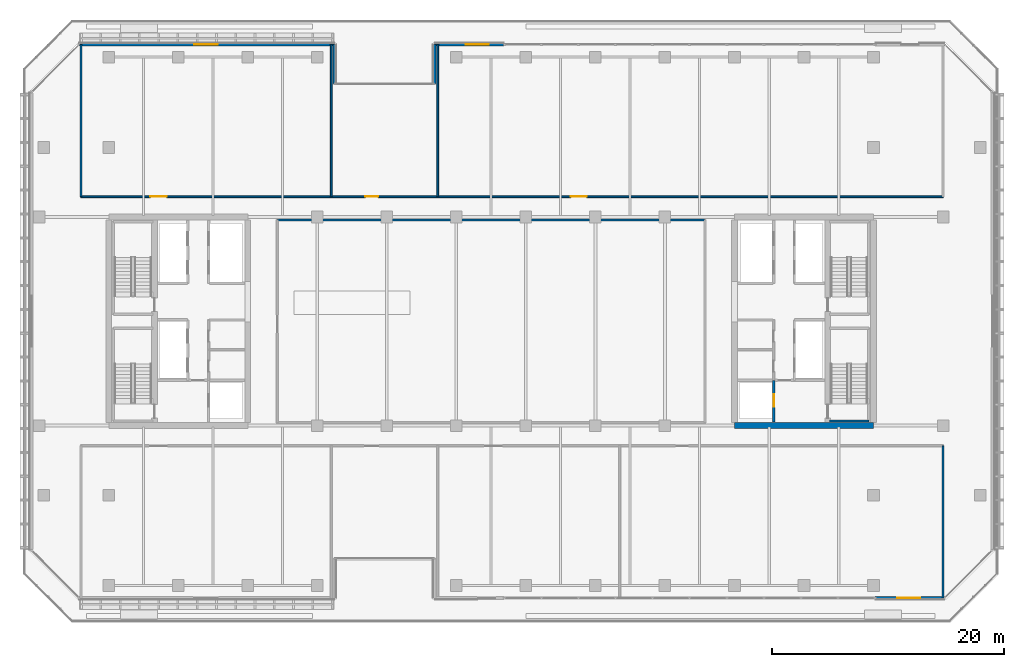
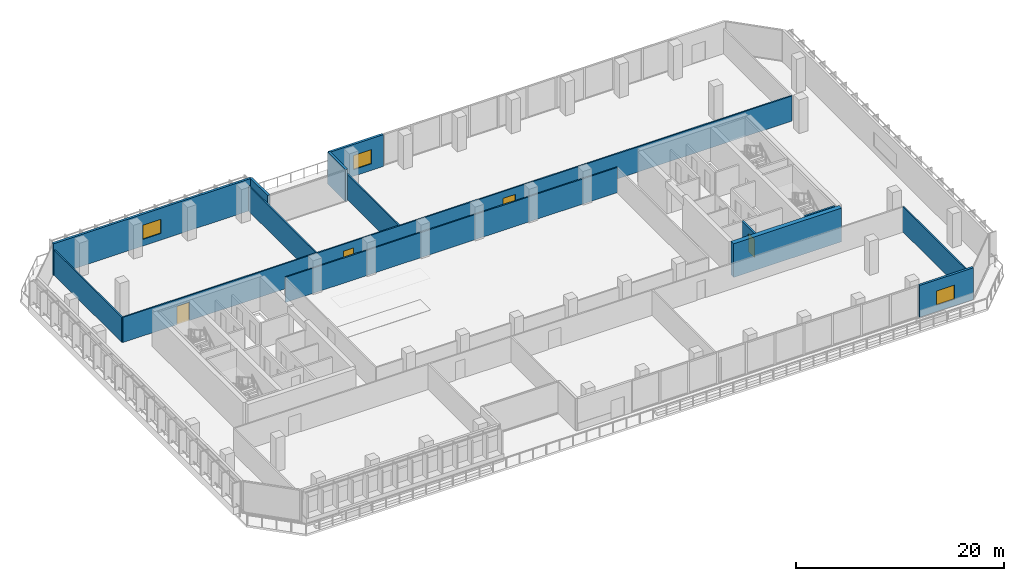
# One storey, part 30 of 38: 14 walls, 4 doors, 3 windows, 7 openings.
"""IFC4 building model written with IfcOpenShell, lengths in metres."""

from ifc_helpers import new_model, si_unit, direction, frame, frame_2d, origin, place, context, subcontext, project, spatial, rectangle, extrude, material, layer, layer_set, type_object, element, fill, save


model = new_model("IFC4")

# Units and contexts
model_context = context("Model", 3, precision=1e-05, world=origin(), true_north=direction((0.0, 1.0)))
body_context = subcontext(model_context, "Body", "Model", "MODEL_VIEW")
ifc_project = project(units=[si_unit("LENGTHUNIT", "METRE"), si_unit("AREAUNIT", "SQUARE_METRE"), si_unit("VOLUMEUNIT", "CUBIC_METRE"), si_unit("PLANEANGLEUNIT", "RADIAN"), si_unit("MASSUNIT", "GRAM", prefix="KILO")], contexts=[model_context])

# Site, building, storey
site_placement = place(None, origin())
site = spatial("IfcSite", under=ifc_project, at=site_placement, CompositionType="ELEMENT")
building_placement = place(site_placement, origin())
building = spatial("IfcBuilding", under=site, at=building_placement, Name="Tanjung Sevakor Pilgrim Tower", CompositionType="ELEMENT")
storey_placement = place(building_placement, frame((0.0, 0.0, 78.2099609375)))
storey = spatial("IfcBuildingStorey", under=building, at=storey_placement, Name="L21", CompositionType="ELEMENT", Elevation=78.2099609375)

# Walls
ifc_material_1 = material(Name="Concrete C60/75", Category="concrete")
ifc_layer_1 = layer(ifc_material_1, 0.5)
ifc_layer_set_1 = layer_set([ifc_layer_1], Name="WALL-CW-500")
wall_type_1 = type_object("IfcWallType", Name="WALL-CW-500", PredefinedType="SHEAR", material=ifc_layer_set_1)
wall_1_placement = place(storey_placement, frame((78.0, 24.60009765625, 0.0), z_axis=(0.0, 0.0, 1.0), x_axis=(1.0, 0.0, 0.0)))
element("IfcWall", 1, at=wall_1_placement, inside=storey, type_object=wall_type_1, Name="L21 E Core South Shear Wall", PredefinedType="SHEAR", context=body_context, shape_type="SweptSolid", body=[
    extrude(rectangle(XDim=12.0, YDim=0.5, at=frame_2d((6.0, 0.0))), origin(), (0.0, 0.0, 1.0), 3.9599609375),
])
ifc_material_2 = material(Name="Concrete C40/50", Category="concrete")
ifc_layer_2 = layer(ifc_material_2, 0.14990234375)
ifc_layer_set_2 = layer_set([ifc_layer_2], Name="WT-COMP-150")
wall_type_2 = type_object("IfcWallType", Name="WT-COMP-150", PredefinedType="SOLIDWALL", material=ifc_layer_set_2)
wall_2_placement = place(storey_placement, frame((38.550048828125, 42.35009765625, 0.0), z_axis=(0.0, 0.0, 1.0), x_axis=(1.0, 0.0, 0.0)))
element("IfcWall", 2, at=wall_2_placement, inside=storey, type_object=wall_type_2, Name="L21 Partition IW-L21-024", PredefinedType="SOLIDWALL", context=body_context, shape_type="SweptSolid", body=[
    extrude(rectangle(XDim=36.89990234375, YDim=0.14990234375, at=frame_2d((18.449951171875, 0.0))), origin(), (0.0, 0.0, 1.0), 2.9599609375),
])
wall_3_placement = place(storey_placement, frame((96.0, 9.699951171875, 0.0), z_axis=(0.0, 0.0, 1.0), x_axis=(0.0, 1.0, 0.0)))
element("IfcWall", 3, at=wall_3_placement, inside=storey, type_object=wall_type_2, Name="L21 Partition IW-L21-031", PredefinedType="SOLIDWALL", context=body_context, shape_type="SweptSolid", body=[
    extrude(rectangle(XDim=13.150146484375, YDim=0.14990234375, at=frame_2d((6.5751953125, 0.0))), origin(), (0.0, 0.0, 1.0), 2.9599609375),
])
wall_4_placement = place(storey_placement, frame((21.60009765625, 44.35009765625, 0.0), z_axis=(0.0, 0.0, 1.0), x_axis=(0.0, 1.0, 0.0)))
element("IfcWall", 4, at=wall_4_placement, inside=storey, type_object=wall_type_2, Name="L21 Partition IW-L21-033", PredefinedType="SOLIDWALL", context=body_context, shape_type="SweptSolid", body=[
    extrude(rectangle(XDim=13.14990234375, YDim=0.14990234375, at=frame_2d((6.574951171875, 0.0))), origin(), (0.0, 0.0, 1.0), 2.9599609375),
])

# Wall, openings, doors
wall_5_placement = place(storey_placement, frame((21.60009765625, 44.35009765625, 0.0), z_axis=(0.0, 0.0, 1.0), x_axis=(1.0, 0.0, 0.0)))
wall_5 = element("IfcWall", 5, at=wall_5_placement, inside=storey, type_object=wall_type_2, Name="L21 Partition IW-L21-037", PredefinedType="SOLIDWALL", context=body_context, shape_type="SweptSolid", body=[
    extrude(rectangle(XDim=74.39990234375, YDim=0.14990234375, at=frame_2d((37.199951171875, 0.0))), origin(), (0.0, 0.0, 1.0), 2.9599609375),
])
opening_1_placement = place(wall_5_placement, frame((6.0, 0.0, 0.0)))
opening_1 = element("IfcOpeningElement", 6, at=opening_1_placement, cuts=wall_5, Name="Opening ID-HD1", PredefinedType="OPENING", context=body_context, shape_type="SweptSolid", body=[
    extrude(rectangle(XDim=1.39990234375, YDim=2.14990234375, at=frame_2d((0.699951171875, 1.074951171875))), frame((0.0, 0.0849609375, 0.0), z_axis=(0.0, -1.0, 0.0), x_axis=(1.0, 0.0, 0.0)), (0.0, 0.0, 1.0), 0.169921875),
])
opening_2_placement = place(wall_5_placement, frame((24.550048828125, 0.0, 0.0)))
opening_2 = element("IfcOpeningElement", 7, at=opening_2_placement, cuts=wall_5, Name="Opening ID-RM2", PredefinedType="OPENING", context=body_context, shape_type="SweptSolid", body=[
    extrude(rectangle(XDim=1.10009765625, YDim=2.14990234375, at=frame_2d((0.550048828125, 1.074951171875))), frame((0.0, 0.0849609375, 0.0), z_axis=(0.0, -1.0, 0.0), x_axis=(1.0, 0.0, 0.0)), (0.0, 0.0, 1.0), 0.169921875),
])
opening_3_placement = place(wall_5_placement, frame((42.25, 0.0, 0.0)))
opening_3 = element("IfcOpeningElement", 8, at=opening_3_placement, cuts=wall_5, Name="Opening ID-HD1", PredefinedType="OPENING", context=body_context, shape_type="SweptSolid", body=[
    extrude(rectangle(XDim=1.39990234375, YDim=2.14990234375, at=frame_2d((0.699951171875, 1.074951171875))), frame((0.0, 0.0849609375, 0.0), z_axis=(0.0, -1.0, 0.0), x_axis=(1.0, 0.0, 0.0)), (0.0, 0.0, 1.0), 0.169921875),
])
ifc_material_3 = material(Name="Hardwood Timber", Category="wood")
door_type_1 = type_object("IfcDoorType", Name="DT-INT-1100", OperationType="NOTDEFINED", PredefinedType="DOOR", material=ifc_material_3)
door_1_placement = place(opening_2_placement, origin())
door_1 = element("IfcDoor", 9, at=door_1_placement, inside=storey, type_object=door_type_1, Name="L21 Sky Prayer Door", OperationType="SINGLE_SWING_LEFT", OverallHeight=2.14990234375, OverallWidth=1.10009765625, PredefinedType="DOOR", context=body_context, shape_type="SweptSolid", body=[
    extrude(rectangle(XDim=1.10009765625, YDim=2.14990234375, at=frame_2d((0.550048828125, 1.074951171875))), frame((0.0, 0.02490234375, 0.0), z_axis=(0.0, -1.0, 0.0), x_axis=(1.0, 0.0, 0.0)), (0.0, 0.0, 1.0), 0.050048828125),
])
fill(opening_2, door_1)
ifc_material_4 = material(Name="Hardwood Timber", Category="wood")
door_type_2 = type_object("IfcDoorType", Name="DT-INT-1400", OperationType="DOUBLE_DOOR_SINGLE_SWING", PredefinedType="DOOR", material=ifc_material_4)
door_2_placement = place(opening_1_placement, origin())
door_2 = element("IfcDoor", 10, at=door_2_placement, inside=storey, type_object=door_type_2, Name="L21 Sky Seminar Door", OperationType="SINGLE_SWING_RIGHT", OverallHeight=2.14990234375, OverallWidth=1.39990234375, PredefinedType="DOOR", context=body_context, shape_type="SweptSolid", body=[
    extrude(rectangle(XDim=1.39990234375, YDim=2.14990234375, at=frame_2d((0.699951171875, 1.074951171875))), frame((0.0, 0.02490234375, 0.0), z_axis=(0.0, -1.0, 0.0), x_axis=(1.0, 0.0, 0.0)), (0.0, 0.0, 1.0), 0.050048828125),
])
fill(opening_1, door_2)
door_3_placement = place(opening_3_placement, origin())
door_3 = element("IfcDoor", 11, at=door_3_placement, inside=storey, type_object=door_type_2, Name="L21 Sky Reading Door", OperationType="SINGLE_SWING_RIGHT", OverallHeight=2.14990234375, OverallWidth=1.39990234375, PredefinedType="DOOR", context=body_context, shape_type="SweptSolid", body=[
    extrude(rectangle(XDim=1.39990234375, YDim=2.14990234375, at=frame_2d((0.699951171875, 1.074951171875))), frame((0.0, 0.02490234375, 0.0), z_axis=(0.0, -1.0, 0.0), x_axis=(1.0, 0.0, 0.0)), (0.0, 0.0, 1.0), 0.050048828125),
])
fill(opening_3, door_3)

# Wall, opening, window
ifc_material_5 = material(Name="Precast concrete C45/55", Category="concrete")
ifc_layer_3 = layer(ifc_material_5, 0.25)
ifc_layer_set_3 = layer_set([ifc_layer_3], Name="WT-EW-STN3")
wall_type_3 = type_object("IfcWallType", Name="WT-EW-STN3", PredefinedType="SOLIDWALL", material=ifc_layer_set_3)
wall_6_placement = place(storey_placement, frame((90.148193359375, 9.72509765625, 0.0), z_axis=(0.0, 0.0, 1.0), x_axis=(1.0, 0.0, 0.0)))
wall_6 = element("IfcWall", 12, at=wall_6_placement, inside=storey, type_object=wall_type_3, Name="L21 Sky Lobby Wall S2", PredefinedType="SOLIDWALL", context=body_context, shape_type="SweptSolid", body=[
    extrude(rectangle(XDim=6.0, YDim=0.25, at=frame_2d((3.0, 0.0))), origin(), (0.0, 0.0, 1.0), 3.739990234375),
])
opening_4_placement = place(wall_6_placement, frame((1.885986328125, 0.0, 0.780029296875)))
opening_4 = element("IfcOpeningElement", 13, at=opening_4_placement, cuts=wall_6, Name="Opening WN-Z2-1660", PredefinedType="OPENING", context=body_context, shape_type="SweptSolid", body=[
    extrude(rectangle(XDim=2.0, YDim=1.659912109375, at=frame_2d((1.0, 0.830078125))), frame((0.0, 0.135009765625, 0.0), z_axis=(0.0, -1.0, 0.0), x_axis=(1.0, 0.0, 0.0)), (0.0, 0.0, 1.0), 0.27001953125),
])
ifc_material_6 = material(Name="Thermally Broken Aluminium and Low-E Glass", Category="aluminium")
window_type = type_object("IfcWindowType", Name="WTYP-WN-Z2-1660", PartitioningType="DOUBLE_PANEL_VERTICAL", PredefinedType="WINDOW", material=ifc_material_6)
window_1_placement = place(opening_4_placement, origin())
window_1 = element("IfcWindow", 14, at=window_1_placement, inside=storey, type_object=window_type, Name="L21 Facade Window 01", OverallHeight=1.659912109375, OverallWidth=2.0, PartitioningType="SINGLE_PANEL", PredefinedType="WINDOW", context=body_context, shape_type="SweptSolid", body=[
    extrude(rectangle(XDim=2.0, YDim=1.659912109375, at=frame_2d((1.0, 0.830078125))), frame((0.0, 0.030029296875, 0.0), z_axis=(0.0, -1.0, 0.0), x_axis=(1.0, 0.0, 0.0)), (0.0, 0.0, 1.0), 0.06005859375),
])
fill(opening_4, window_1)

wall_7_placement = place(storey_placement, frame((58.125, 57.47509765625, 0.0), z_axis=(0.0, 0.0, 1.0), x_axis=(-1.0, 0.0, 0.0)))
wall_7 = element("IfcWall", 15, at=wall_7_placement, inside=storey, type_object=wall_type_3, Name="L21 Sky Lobby Wall N2", PredefinedType="SOLIDWALL", context=body_context, shape_type="SweptSolid", body=[
    extrude(rectangle(XDim=6.0, YDim=0.25, at=frame_2d((3.0, 0.0))), origin(), (0.0, 0.0, 1.0), 3.739990234375),
])
opening_5_placement = place(wall_7_placement, frame((1.33251953125, 0.0, 0.780029296875)))
opening_5 = element("IfcOpeningElement", 16, at=opening_5_placement, cuts=wall_7, Name="Opening WN-Z2-1660", PredefinedType="OPENING", context=body_context, shape_type="SweptSolid", body=[
    extrude(rectangle(XDim=2.0, YDim=1.659912109375, at=frame_2d((1.0, 0.830078125))), frame((0.0, 0.135009765625, 0.0), z_axis=(0.0, -1.0, 0.0), x_axis=(1.0, 0.0, 0.0)), (0.0, 0.0, 1.0), 0.27001953125),
])
window_2_placement = place(opening_5_placement, origin())
window_2 = element("IfcWindow", 17, at=window_2_placement, inside=storey, type_object=window_type, Name="L21 Facade Window 01", OverallHeight=1.659912109375, OverallWidth=2.0, PartitioningType="SINGLE_PANEL", PredefinedType="WINDOW", context=body_context, shape_type="SweptSolid", body=[
    extrude(rectangle(XDim=2.0, YDim=1.659912109375, at=frame_2d((1.0, 0.830078125))), frame((0.0, 0.030029296875, 0.0), z_axis=(0.0, -1.0, 0.0), x_axis=(1.0, 0.0, 0.0)), (0.0, 0.0, 1.0), 0.06005859375),
])
fill(opening_5, window_2)

# Walls
for number, where, z_axis, x_axis, name in (
    (18, (52.125, 57.47509765625, 0.0), (0.0, 0.0, 1.0), (0.0, -1.0, 0.0), "L21 MAIN Exterior Wall 10"),
    (19, (43.47509765625, 54.074951171875, 0.0), (0.0, 0.0, 1.0), (0.0, 1.0, 0.0), "L21 MAIN Exterior Wall 12"),
):
    element("IfcWall", number, at=place(storey_placement, frame(where, z_axis=z_axis, x_axis=x_axis)), inside=storey, type_object=wall_type_3, Name=name, PredefinedType="SOLIDWALL", context=body_context, shape_type="SweptSolid", body=[
        extrude(rectangle(XDim=3.400146484375, YDim=0.25, at=frame_2d((1.7001953125, 0.0))), origin(), (0.0, 0.0, 1.0), 3.739990234375),
    ])

# Wall, opening, window
wall_8_placement = place(storey_placement, frame((43.47509765625, 57.47509765625, 0.0), z_axis=(0.0, 0.0, 1.0), x_axis=(-1.0, 0.0, 0.0)))
wall_8 = element("IfcWall", 20, at=wall_8_placement, inside=storey, type_object=wall_type_3, Name="L21 MAIN Exterior Wall 13", PredefinedType="SOLIDWALL", context=body_context, shape_type="SweptSolid", body=[
    extrude(rectangle(XDim=22.023193359375, YDim=0.25, at=frame_2d((11.01171875, 0.0))), origin(), (0.0, 0.0, 1.0), 3.739990234375),
])
opening_6_placement = place(wall_8_placement, frame((10.0849609375, 0.0, 0.780029296875)))
opening_6 = element("IfcOpeningElement", 21, at=opening_6_placement, cuts=wall_8, Name="Opening WN-Z2-1660", PredefinedType="OPENING", context=body_context, shape_type="SweptSolid", body=[
    extrude(rectangle(XDim=2.0, YDim=1.659912109375, at=frame_2d((1.0, 0.830078125))), frame((0.0, 0.135009765625, 0.0), z_axis=(0.0, -1.0, 0.0), x_axis=(1.0, 0.0, 0.0)), (0.0, 0.0, 1.0), 0.27001953125),
])
window_3_placement = place(opening_6_placement, origin())
window_3 = element("IfcWindow", 22, at=window_3_placement, inside=storey, type_object=window_type, Name="L21 Facade Window 01", OverallHeight=1.659912109375, OverallWidth=2.0, PartitioningType="SINGLE_PANEL", PredefinedType="WINDOW", context=body_context, shape_type="SweptSolid", body=[
    extrude(rectangle(XDim=2.0, YDim=1.659912109375, at=frame_2d((1.0, 0.830078125))), frame((0.0, 0.030029296875, 0.0), z_axis=(0.0, -1.0, 0.0), x_axis=(1.0, 0.0, 0.0)), (0.0, 0.0, 1.0), 0.06005859375),
])
fill(opening_6, window_3)

# Wall
ifc_material_7 = material(Name="Concrete C40/50", Category="concrete")
ifc_layer_4 = layer(ifc_material_7, 0.199951171875)
ifc_layer_set_4 = layer_set([ifc_layer_4], Name="WT-FIRE-200")
wall_type_4 = type_object("IfcWallType", Name="WT-FIRE-200", PredefinedType="SOLIDWALL", material=ifc_layer_set_4)
wall_9_placement = place(storey_placement, frame((86.199951171875, 25.0, 0.0), z_axis=(0.0, 0.0, 1.0), x_axis=(1.0, 0.0, 0.0)))
element("IfcWall", 23, at=wall_9_placement, inside=storey, type_object=wall_type_4, Name="L21 TS-E1 Shaft Wall 1", PredefinedType="SOLIDWALL", context=body_context, shape_type="SweptSolid", body=[
    extrude(rectangle(XDim=3.400146484375, YDim=0.199951171875, at=frame_2d((1.7001953125, 0.0))), origin(), (0.0, 0.0, 1.0), 3.9599609375),
])

# Wall, opening, door
ifc_material_8 = material(Name="Concrete C40/50", Category="concrete")
ifc_layer_5 = layer(ifc_material_8, 0.199951171875)
ifc_layer_set_5 = layer_set([ifc_layer_5], Name="WT-FPRT-200")
wall_type_5 = type_object("IfcWallType", Name="WT-FPRT-200", PredefinedType="SOLIDWALL", material=ifc_layer_set_5)
wall_10_placement = place(storey_placement, frame((81.39990234375, 24.919921875, 0.0), z_axis=(0.0, 0.0, 1.0), x_axis=(0.0, 1.0, 0.0)))
wall_10 = element("IfcWall", 24, at=wall_10_placement, inside=storey, type_object=wall_type_5, Name="L21 Partition IW-L21-012", PredefinedType="SOLIDWALL", context=body_context, shape_type="SweptSolid", body=[
    extrude(rectangle(XDim=3.580078125, YDim=0.199951171875, at=frame_2d((1.7900390625, 0.0))), origin(), (0.0, 0.0, 1.0), 2.9599609375),
])
opening_7_placement = place(wall_10_placement, frame((1.300048828125, 0.0, 0.0)))
opening_7 = element("IfcOpeningElement", 25, at=opening_7_placement, cuts=wall_10, Name="Opening LD-1100", PredefinedType="OPENING", context=body_context, shape_type="SweptSolid", body=[
    extrude(rectangle(XDim=1.10009765625, YDim=2.199951171875, at=frame_2d((0.550048828125, 1.10009765625))), frame((0.0, 0.10986328125, 0.0), z_axis=(0.0, -1.0, 0.0), x_axis=(1.0, 0.0, 0.0)), (0.0, 0.0, 1.0), 0.219970703125),
])
ifc_material_9 = material(Name="Brushed Stainless Steel S355J2", Category="steel")
door_type_3 = type_object("IfcDoorType", Name="DT-LIFT-1100", OperationType="SLIDING_TO_LEFT", PredefinedType="DOOR", material=ifc_material_9)
door_4_placement = place(opening_7_placement, origin())
door_4 = element("IfcDoor", 26, at=door_4_placement, inside=storey, type_object=door_type_3, Name="LD-FL-E", OperationType="SLIDING_TO_LEFT", OverallHeight=2.199951171875, OverallWidth=1.10009765625, PredefinedType="DOOR", context=body_context, shape_type="SweptSolid", body=[
    extrude(rectangle(XDim=1.10009765625, YDim=2.199951171875, at=frame_2d((0.550048828125, 1.10009765625))), frame((0.0, 0.02490234375, 0.0), z_axis=(0.0, -1.0, 0.0), x_axis=(1.0, 0.0, 0.0)), (0.0, 0.0, 1.0), 0.050048828125),
])
fill(opening_7, door_4)

# Walls
ifc_material_10 = material(Name="Gypsum Board Partition", Category="gypsum board")
ifc_layer_6 = layer(ifc_material_10, 0.14990234375)
ifc_layer_set_6 = layer_set([ifc_layer_6], Name="WT-PART-150")
wall_type_6 = type_object("IfcWallType", Name="WT-PART-150", PredefinedType="PARTITIONING", material=ifc_layer_set_6)
for number, where, z_axis, x_axis, name in (
    (27, (43.199951171875, 44.35009765625, 0.0), (0.0, 0.0, 1.0), (0.0, 1.0, 0.0), "L21 Partition IW-L21-034"),
    (28, (52.39990234375, 44.35009765625, 0.0), (0.0, 0.0, 1.0), (0.0, 1.0, 0.0), "L21 Partition IW-L21-035"),
):
    element("IfcWall", number, at=place(storey_placement, frame(where, z_axis=z_axis, x_axis=x_axis)), inside=storey, type_object=wall_type_6, Name=name, PredefinedType="PARTITIONING", context=body_context, shape_type="SweptSolid", body=[
        extrude(rectangle(XDim=13.14990234375, YDim=0.14990234375, at=frame_2d((6.574951171875, 0.0))), origin(), (0.0, 0.0, 1.0), 2.9599609375),
    ])

save(model, "model.ifc")
